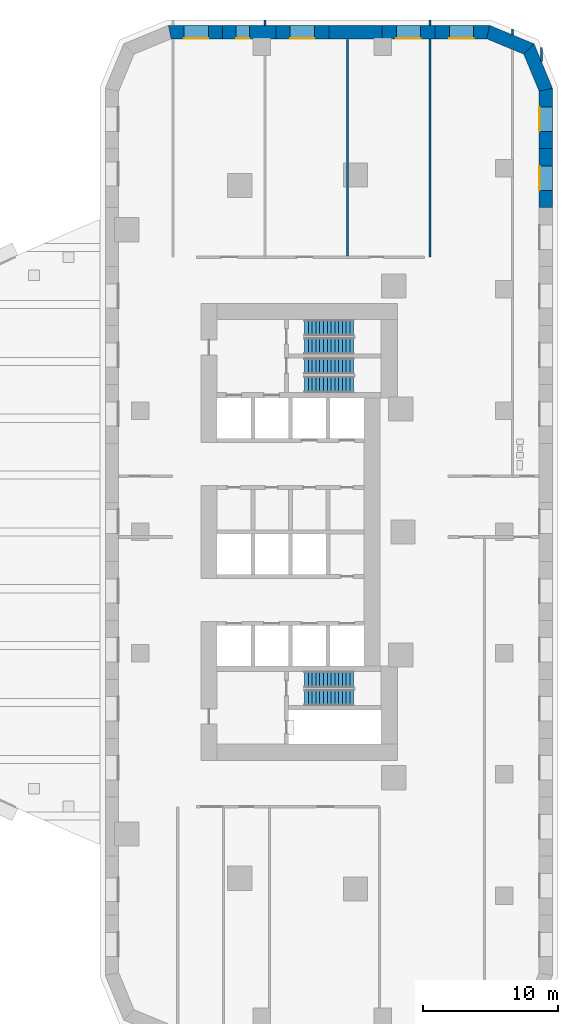
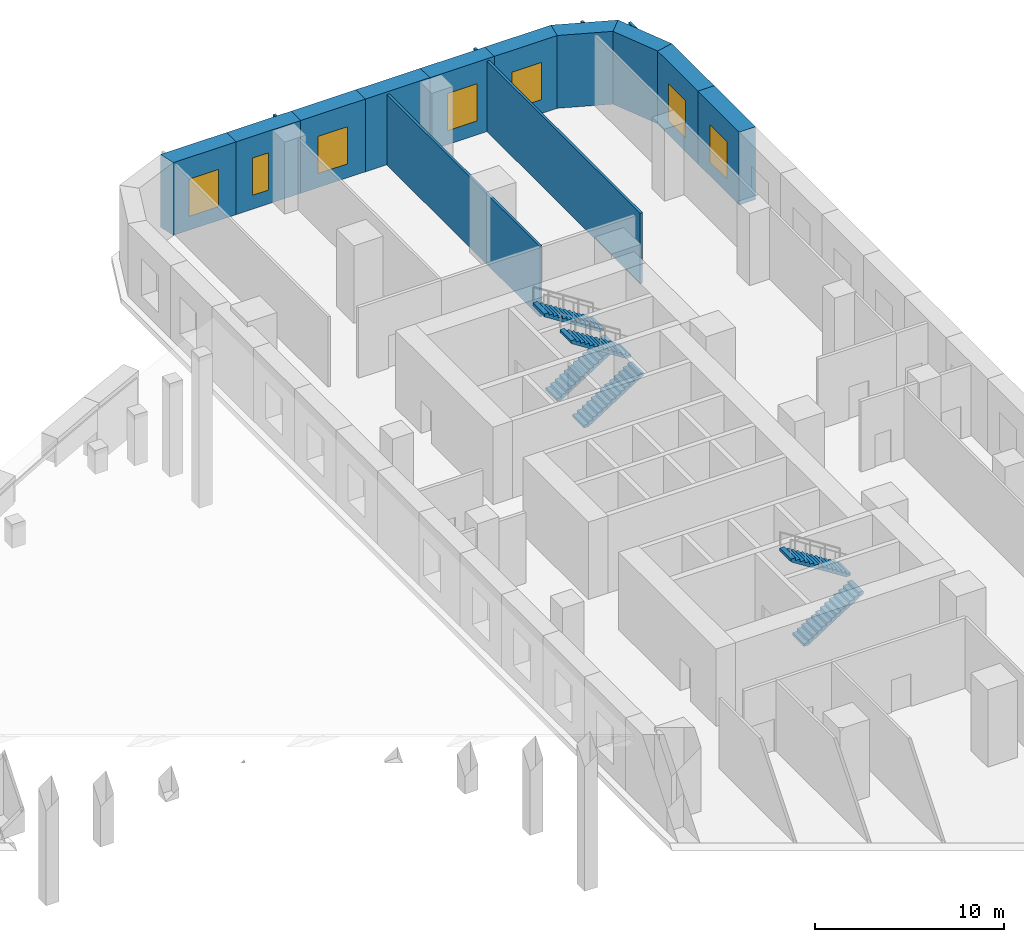
# One storey, part 6 of 11: 16 walls, 7 windows, 6 stair flights, 7 openings, 3 elements without a shape of their own.
"""IFC4 building model written with IfcOpenShell, lengths in metres."""

from ifc_helpers import new_model, si_unit, direction, frame, frame_2d, origin, place, context, subcontext, project, spatial, polyline, rectangle, outline, extrude, material, layer, layer_set, type_object, element, fill, aggregate, save


model = new_model("IFC4")

# Units and contexts
model_context = context("Model", 3, precision=1e-05, world=origin(), true_north=direction((0.0, 1.0)))
body_context = subcontext(model_context, "Body", "Model", "MODEL_VIEW")
ifc_project = project(units=[si_unit("LENGTHUNIT", "METRE"), si_unit("AREAUNIT", "SQUARE_METRE"), si_unit("VOLUMEUNIT", "CUBIC_METRE"), si_unit("PLANEANGLEUNIT", "RADIAN"), si_unit("MASSUNIT", "GRAM", prefix="KILO")], contexts=[model_context])

# Site, building, storey
site_placement = place(None, origin())
site = spatial("IfcSite", under=ifc_project, at=site_placement, CompositionType="ELEMENT")
building_placement = place(site_placement, origin())
building = spatial("IfcBuilding", under=site, at=building_placement, Name="Ostrand Prow Hotel Tower", CompositionType="ELEMENT")
storey_placement = place(building_placement, frame((0.0, 0.0, 24.0)))
storey = spatial("IfcBuildingStorey", under=building, at=storey_placement, Name="L04", CompositionType="ELEMENT", Elevation=24.0)

# Walls
ifc_material_1 = material(Name="Plasterboard partition")
ifc_layer_1 = layer(ifc_material_1, 0.14990234375)
ifc_layer_set_1 = layer_set([ifc_layer_1], Name="Plasterboard partition")
wall_type_1 = type_object("IfcWallType", Name="Partition 150 room partition", PredefinedType="PARTITIONING", material=ifc_layer_set_1)
wall_1_placement = place(storey_placement, frame((54.252197265625, 37.60009765625, 0.0), z_axis=(0.0, 0.0, 1.0), x_axis=(0.0, 1.0, 0.0)))
element("IfcWall", 1, at=wall_1_placement, inside=storey, type_object=wall_type_1, Name="ROOM PARTITION", PredefinedType="PARTITIONING", context=body_context, shape_type="SweptSolid", body=[
    extrude(rectangle(XDim=0.39990234375, YDim=0.14990234375, at=frame_2d((0.199951171875, 0.0))), origin(), (0.0, 0.0, 1.0), 4.550048828125),
])
wall_2_placement = place(storey_placement, frame((60.37841796875, 20.39990234375, 0.0), z_axis=(0.0, 0.0, 1.0), x_axis=(0.0, 1.0, 0.0)))
element("IfcWall", 2, at=wall_2_placement, inside=storey, type_object=wall_type_1, Name="ROOM PARTITION", PredefinedType="PARTITIONING", context=body_context, shape_type="SweptSolid", body=[
    extrude(rectangle(XDim=16.170166015625, YDim=0.14990234375, at=frame_2d((8.0849609375, 0.0))), origin(), (0.0, 0.0, 1.0), 4.550048828125),
])
wall_3_placement = place(storey_placement, frame((66.50439453125, 20.39990234375, 0.0), z_axis=(0.0, 0.0, 1.0), x_axis=(0.0, 1.0, 0.0)))
element("IfcWall", 3, at=wall_3_placement, inside=storey, type_object=wall_type_1, Name="ROOM PARTITION", PredefinedType="PARTITIONING", context=body_context, shape_type="SweptSolid", body=[
    extrude(rectangle(XDim=16.2001953125, YDim=0.14990234375, at=frame_2d((8.10009765625, 0.0))), origin(), (0.0, 0.0, 1.0), 4.550048828125),
])
wall_4_placement = place(storey_placement, frame((66.50439453125, 37.60009765625, 0.0), z_axis=(0.0, 0.0, 1.0), x_axis=(0.0, 1.0, 0.0)))
element("IfcWall", 4, at=wall_4_placement, inside=storey, type_object=wall_type_1, Name="ROOM PARTITION", PredefinedType="PARTITIONING", context=body_context, shape_type="SweptSolid", body=[
    extrude(rectangle(XDim=0.39990234375, YDim=0.14990234375, at=frame_2d((0.199951171875, 0.0))), origin(), (0.0, 0.0, 1.0), 4.550048828125),
])
wall_5_placement = place(storey_placement, frame((72.630615234375, 36.8916015625, 0.0), z_axis=(0.0, 0.0, 1.0), x_axis=(0.0, 1.0, 0.0)))
element("IfcWall", 5, at=wall_5_placement, inside=storey, type_object=wall_type_1, Name="ROOM PARTITION", PredefinedType="PARTITIONING", context=body_context, shape_type="SweptSolid", body=[
    extrude(rectangle(XDim=0.43310546875, YDim=0.14990234375, at=frame_2d((0.216552734375, 0.0))), origin(), (0.0, 0.0, 1.0), 4.550048828125),
])
wall_6_placement = place(storey_placement, frame((74.77490234375, 34.91259765625, 0.0), z_axis=(0.0, 0.0, 1.0), x_axis=(0.0, 1.0, 0.0)))
element("IfcWall", 6, at=wall_6_placement, inside=storey, type_object=wall_type_1, Name="ROOM PARTITION", PredefinedType="PARTITIONING", context=body_context, shape_type="SweptSolid", body=[
    extrude(rectangle(XDim=1.04541015625, YDim=0.14990234375, at=frame_2d((0.522705078125, 0.0))), origin(), (0.0, 0.0, 1.0), 4.550048828125),
])

# Wall, opening, window
ifc_material_2 = material(Name="Precast concrete C40/50", Category="concrete")
ifc_layer_2 = layer(ifc_material_2, 1.0)
ifc_layer_set_2 = layer_set([ifc_layer_2], Name="Precast concrete C40/50")
wall_type_2 = type_object("IfcWallType", Name="Portal pier wall 1000 mm", PredefinedType="NOTDEFINED", material=ifc_layer_set_2)
wall_7_placement = place(storey_placement, frame((75.10009765625, 24.068603515625, 0.0), z_axis=(0.0, 0.0, 1.0), x_axis=(0.0, 1.0, 0.0)))
wall_7 = element("IfcWall", 7, at=wall_7_placement, inside=storey, type_object=wall_type_2, Name="Portal pier wall L04-PP121", PredefinedType="NOTDEFINED", context=body_context, shape_type="SweptSolid", body=[
    extrude(outline(polyline([(0.0, -0.5), (4.376220703125, -0.5), (4.376220703125, 0.5), (0.0, 0.5), (0.0, -0.5)])), origin(), (0.0, 0.0, 1.0), 4.699951171875),
])
opening_1_placement = place(wall_7_placement, frame((1.2880859375, 0.0, 0.89990234375)))
opening_1 = element("IfcOpeningElement", 8, at=opening_1_placement, cuts=wall_7, Name="Opening WP2", PredefinedType="OPENING", context=body_context, shape_type="SweptSolid", body=[
    extrude(rectangle(XDim=1.800048828125, YDim=2.39990234375, at=frame_2d((0.89990234375, 1.199951171875))), frame((0.0, 0.510009765625, 0.0), z_axis=(0.0, -1.0, 0.0), x_axis=(1.0, 0.0, 0.0)), (0.0, 0.0, 1.0), 1.02001953125),
])
ifc_material_3 = material(Name="Insulated glass in bronze anodised frame", Category="glass")
window_type = type_object("IfcWindowType", Name="Portal window 1800x2400", PartitioningType="SINGLE_PANEL", PredefinedType="WINDOW", material=ifc_material_3)
window_1_placement = place(opening_1_placement, origin())
window_1 = element("IfcWindow", 9, at=window_1_placement, inside=storey, type_object=window_type, Name="Portal window L04-PP121", OverallHeight=2.39990234375, OverallWidth=1.800048828125, PartitioningType="SINGLE_PANEL", PredefinedType="WINDOW", context=body_context, shape_type="SweptSolid", body=[
    extrude(rectangle(XDim=1.800048828125, YDim=2.39990234375, at=frame_2d((0.89990234375, 1.199951171875))), frame((0.0, 0.5, 0.0), z_axis=(0.0, -1.0, 0.0), x_axis=(1.0, 0.0, 0.0)), (0.0, 0.0, 1.0), 0.06005859375),
])
fill(opening_1, window_1)

wall_8_placement = place(storey_placement, frame((75.10009765625, 28.44482421875, 0.0), z_axis=(0.0, 0.0, 1.0), x_axis=(0.0, 1.0, 0.0)))
wall_8 = element("IfcWall", 10, at=wall_8_placement, inside=storey, type_object=wall_type_2, Name="Portal pier wall L04-PP122", PredefinedType="NOTDEFINED", context=body_context, shape_type="SweptSolid", body=[
    extrude(outline(polyline([(0.0, -0.5), (4.475830078125, -0.5), (4.276611328125, 0.5), (0.0, 0.5), (0.0, -0.5)])), origin(), (0.0, 0.0, 1.0), 4.699951171875),
])
opening_2_placement = place(wall_8_placement, frame((1.2880859375, 0.0, 0.89990234375)))
opening_2 = element("IfcOpeningElement", 11, at=opening_2_placement, cuts=wall_8, Name="Opening WP2", PredefinedType="OPENING", context=body_context, shape_type="SweptSolid", body=[
    extrude(rectangle(XDim=1.800048828125, YDim=2.39990234375, at=frame_2d((0.89990234375, 1.199951171875))), frame((0.0, 0.510009765625, 0.0), z_axis=(0.0, -1.0, 0.0), x_axis=(1.0, 0.0, 0.0)), (0.0, 0.0, 1.0), 1.02001953125),
])
window_2_placement = place(opening_2_placement, origin())
window_2 = element("IfcWindow", 12, at=window_2_placement, inside=storey, type_object=window_type, Name="Portal window L04-PP122", OverallHeight=2.39990234375, OverallWidth=1.800048828125, PartitioningType="SINGLE_PANEL", PredefinedType="WINDOW", context=body_context, shape_type="SweptSolid", body=[
    extrude(rectangle(XDim=1.800048828125, YDim=2.39990234375, at=frame_2d((0.89990234375, 1.199951171875))), frame((0.0, 0.5, 0.0), z_axis=(0.0, -1.0, 0.0), x_axis=(1.0, 0.0, 0.0)), (0.0, 0.0, 1.0), 0.06005859375),
])
fill(opening_2, window_2)

# Walls
wall_9_placement = place(storey_placement, frame((75.10009765625, 32.821044921875, 0.0), z_axis=(0.0, 0.0, 1.0), x_axis=(-0.382724875529, 0.923862365102, 0.0)))
element("IfcWall", 13, at=wall_9_placement, inside=storey, type_object=wall_type_2, Name="Portal pier wall L04-PP123", PredefinedType="NOTDEFINED", context=body_context, shape_type="SweptSolid", body=[
    extrude(outline(polyline([(-0.099609375, -0.5), (3.48193359375, -0.5), (3.06787109375, 0.5), (0.099609375, 0.5), (-0.099609375, -0.5)])), origin(), (0.0, 0.0, 1.0), 4.699951171875),
])
wall_10_placement = place(storey_placement, frame((73.8466796875, 35.8466796875, 0.0), z_axis=(0.0, 0.0, 1.0), x_axis=(-0.923862365102, 0.382724875529, 0.0)))
element("IfcWall", 14, at=wall_10_placement, inside=storey, type_object=wall_type_2, Name="Portal pier wall L04-PP124", PredefinedType="NOTDEFINED", context=body_context, shape_type="SweptSolid", body=[
    extrude(outline(polyline([(-0.20703125, -0.5), (3.37451171875, -0.5), (3.17529296875, 0.5), (0.20703125, 0.5), (-0.20703125, -0.5)])), origin(), (0.0, 0.0, 1.0), 4.699951171875),
])

# Wall, opening, window
wall_11_placement = place(storey_placement, frame((70.821044921875, 37.10009765625, 0.0), z_axis=(0.0, 0.0, 1.0), x_axis=(-1.0, 0.0, 0.0)))
wall_11 = element("IfcWall", 15, at=wall_11_placement, inside=storey, type_object=wall_type_2, Name="Portal pier wall L04-PP125", PredefinedType="NOTDEFINED", context=body_context, shape_type="SweptSolid", body=[
    extrude(outline(polyline([(-0.099609375, -0.5), (3.9404296875, -0.5), (3.9404296875, 0.5), (0.099609375, 0.5), (-0.099609375, -0.5)])), origin(), (0.0, 0.0, 1.0), 4.699951171875),
])
opening_3_placement = place(wall_11_placement, frame((1.0703125, 0.0, 0.89990234375)))
opening_3 = element("IfcOpeningElement", 16, at=opening_3_placement, cuts=wall_11, Name="Opening WP2", PredefinedType="OPENING", context=body_context, shape_type="SweptSolid", body=[
    extrude(rectangle(XDim=1.800048828125, YDim=2.39990234375, at=frame_2d((0.89990234375, 1.199951171875))), frame((0.0, 0.510009765625, 0.0), z_axis=(0.0, -1.0, 0.0), x_axis=(1.0, 0.0, 0.0)), (0.0, 0.0, 1.0), 1.02001953125),
])
window_3_placement = place(opening_3_placement, origin())
window_3 = element("IfcWindow", 17, at=window_3_placement, inside=storey, type_object=window_type, Name="Portal window L04-PP125", OverallHeight=2.39990234375, OverallWidth=1.800048828125, PartitioningType="SINGLE_PANEL", PredefinedType="WINDOW", context=body_context, shape_type="SweptSolid", body=[
    extrude(rectangle(XDim=1.800048828125, YDim=2.39990234375, at=frame_2d((0.89990234375, 1.199951171875))), frame((0.0, 0.5, 0.0), z_axis=(0.0, -1.0, 0.0), x_axis=(1.0, 0.0, 0.0)), (0.0, 0.0, 1.0), 0.06005859375),
])
fill(opening_3, window_3)

wall_12_placement = place(storey_placement, frame((66.880615234375, 37.10009765625, 0.0), z_axis=(0.0, 0.0, 1.0), x_axis=(-1.0, 0.0, 0.0)))
wall_12 = element("IfcWall", 18, at=wall_12_placement, inside=storey, type_object=wall_type_2, Name="Portal pier wall L04-PP126", PredefinedType="NOTDEFINED", context=body_context, shape_type="SweptSolid", body=[
    extrude(outline(polyline([(0.0, -0.5), (3.9404296875, -0.5), (3.9404296875, 0.5), (0.0, 0.5), (0.0, -0.5)])), origin(), (0.0, 0.0, 1.0), 4.699951171875),
])
opening_4_placement = place(wall_12_placement, frame((1.0703125, 0.0, 0.89990234375)))
opening_4 = element("IfcOpeningElement", 19, at=opening_4_placement, cuts=wall_12, Name="Opening WP2", PredefinedType="OPENING", context=body_context, shape_type="SweptSolid", body=[
    extrude(rectangle(XDim=1.800048828125, YDim=2.39990234375, at=frame_2d((0.89990234375, 1.199951171875))), frame((0.0, 0.510009765625, 0.0), z_axis=(0.0, -1.0, 0.0), x_axis=(1.0, 0.0, 0.0)), (0.0, 0.0, 1.0), 1.02001953125),
])
window_4_placement = place(opening_4_placement, origin())
window_4 = element("IfcWindow", 20, at=window_4_placement, inside=storey, type_object=window_type, Name="Portal window L04-PP126", OverallHeight=2.39990234375, OverallWidth=1.800048828125, PartitioningType="SINGLE_PANEL", PredefinedType="WINDOW", context=body_context, shape_type="SweptSolid", body=[
    extrude(rectangle(XDim=1.800048828125, YDim=2.39990234375, at=frame_2d((0.89990234375, 1.199951171875))), frame((0.0, 0.5, 0.0), z_axis=(0.0, -1.0, 0.0), x_axis=(1.0, 0.0, 0.0)), (0.0, 0.0, 1.0), 0.06005859375),
])
fill(opening_4, window_4)

# Wall
wall_13_placement = place(storey_placement, frame((62.940185546875, 37.10009765625, 0.0), z_axis=(0.0, 0.0, 1.0), x_axis=(-1.0, 0.0, 0.0)))
element("IfcWall", 21, at=wall_13_placement, inside=storey, type_object=wall_type_2, Name="Portal pier wall L04-PP127", PredefinedType="NOTDEFINED", context=body_context, shape_type="SweptSolid", body=[
    extrude(outline(polyline([(0.0, -0.5), (3.940185546875, -0.5), (3.940185546875, 0.5), (0.0, 0.5), (0.0, -0.5)])), origin(), (0.0, 0.0, 1.0), 4.699951171875),
])

# Wall, opening, window
wall_14_placement = place(storey_placement, frame((59.0, 37.10009765625, 0.0), z_axis=(0.0, 0.0, 1.0), x_axis=(-1.0, 0.0, 0.0)))
wall_14 = element("IfcWall", 22, at=wall_14_placement, inside=storey, type_object=wall_type_2, Name="Portal pier wall L04-PP128", PredefinedType="NOTDEFINED", context=body_context, shape_type="SweptSolid", body=[
    extrude(outline(polyline([(0.0, -0.5), (3.940185546875, -0.5), (3.940185546875, 0.5), (0.0, 0.5), (0.0, -0.5)])), origin(), (0.0, 0.0, 1.0), 4.699951171875),
])
opening_5_placement = place(wall_14_placement, frame((1.0703125, 0.0, 0.89990234375)))
opening_5 = element("IfcOpeningElement", 23, at=opening_5_placement, cuts=wall_14, Name="Opening WP2", PredefinedType="OPENING", context=body_context, shape_type="SweptSolid", body=[
    extrude(rectangle(XDim=1.800048828125, YDim=2.39990234375, at=frame_2d((0.89990234375, 1.199951171875))), frame((0.0, 0.510009765625, 0.0), z_axis=(0.0, -1.0, 0.0), x_axis=(1.0, 0.0, 0.0)), (0.0, 0.0, 1.0), 1.02001953125),
])
window_5_placement = place(opening_5_placement, origin())
window_5 = element("IfcWindow", 24, at=window_5_placement, inside=storey, type_object=window_type, Name="Portal window L04-PP128", OverallHeight=2.39990234375, OverallWidth=1.800048828125, PartitioningType="SINGLE_PANEL", PredefinedType="WINDOW", context=body_context, shape_type="SweptSolid", body=[
    extrude(rectangle(XDim=1.800048828125, YDim=2.39990234375, at=frame_2d((0.89990234375, 1.199951171875))), frame((0.0, 0.5, 0.0), z_axis=(0.0, -1.0, 0.0), x_axis=(1.0, 0.0, 0.0)), (0.0, 0.0, 1.0), 0.06005859375),
])
fill(opening_5, window_5)

wall_15_placement = place(storey_placement, frame((55.059814453125, 37.10009765625, 0.0), z_axis=(0.0, 0.0, 1.0), x_axis=(-1.0, 0.0, 0.0)))
wall_15 = element("IfcWall", 25, at=wall_15_placement, inside=storey, type_object=wall_type_2, Name="Portal pier wall L04-PP129", PredefinedType="NOTDEFINED", context=body_context, shape_type="SweptSolid", body=[
    extrude(outline(polyline([(0.0, -0.5), (3.9404296875, -0.5), (3.9404296875, 0.5), (0.0, 0.5), (0.0, -0.5)])), origin(), (0.0, 0.0, 1.0), 4.699951171875),
])
opening_6_placement = place(wall_15_placement, frame((1.959716796875, 0.0, 0.89990234375)))
opening_6 = element("IfcOpeningElement", 26, at=opening_6_placement, cuts=wall_15, Name="Opening WP2", PredefinedType="OPENING", context=body_context, shape_type="SweptSolid", body=[
    extrude(rectangle(XDim=0.980712890625, YDim=2.39990234375, at=frame_2d((0.490234375, 1.199951171875))), frame((0.0, 0.510009765625, 0.0), z_axis=(0.0, -1.0, 0.0), x_axis=(1.0, 0.0, 0.0)), (0.0, 0.0, 1.0), 1.02001953125),
])
window_6_placement = place(opening_6_placement, origin())
window_6 = element("IfcWindow", 27, at=window_6_placement, inside=storey, type_object=window_type, Name="Portal window L04-PP129", OverallHeight=2.39990234375, OverallWidth=0.980712890625, PartitioningType="SINGLE_PANEL", PredefinedType="WINDOW", context=body_context, shape_type="SweptSolid", body=[
    extrude(rectangle(XDim=0.980712890625, YDim=2.39990234375, at=frame_2d((0.490234375, 1.199951171875))), frame((0.0, 0.5, 0.0), z_axis=(0.0, -1.0, 0.0), x_axis=(1.0, 0.0, 0.0)), (0.0, 0.0, 1.0), 0.06005859375),
])
fill(opening_6, window_6)

wall_16_placement = place(storey_placement, frame((51.119384765625, 37.10009765625, 0.0), z_axis=(0.0, 0.0, 1.0), x_axis=(-1.0, 0.0, 0.0)))
wall_16 = element("IfcWall", 28, at=wall_16_placement, inside=storey, type_object=wall_type_2, Name="Portal pier wall L04-PP130", PredefinedType="NOTDEFINED", context=body_context, shape_type="SweptSolid", body=[
    extrude(outline(polyline([(0.0, -0.5), (4.0400390625, -0.5), (3.8408203125, 0.5), (0.0, 0.5), (0.0, -0.5)])), origin(), (0.0, 0.0, 1.0), 4.699951171875),
])
opening_7_placement = place(wall_16_placement, frame((1.0703125, 0.0, 0.89990234375)))
opening_7 = element("IfcOpeningElement", 29, at=opening_7_placement, cuts=wall_16, Name="Opening WP2", PredefinedType="OPENING", context=body_context, shape_type="SweptSolid", body=[
    extrude(rectangle(XDim=1.800048828125, YDim=2.39990234375, at=frame_2d((0.89990234375, 1.199951171875))), frame((0.0, 0.510009765625, 0.0), z_axis=(0.0, -1.0, 0.0), x_axis=(1.0, 0.0, 0.0)), (0.0, 0.0, 1.0), 1.02001953125),
])
window_7_placement = place(opening_7_placement, origin())
window_7 = element("IfcWindow", 30, at=window_7_placement, inside=storey, type_object=window_type, Name="Portal window L04-PP130", OverallHeight=2.39990234375, OverallWidth=1.800048828125, PartitioningType="SINGLE_PANEL", PredefinedType="WINDOW", context=body_context, shape_type="SweptSolid", body=[
    extrude(rectangle(XDim=1.800048828125, YDim=2.39990234375, at=frame_2d((0.89990234375, 1.199951171875))), frame((0.0, 0.5, 0.0), z_axis=(0.0, -1.0, 0.0), x_axis=(1.0, 0.0, 0.0)), (0.0, 0.0, 1.0), 0.06005859375),
])
fill(opening_7, window_7)

# Stair, stair flights
ifc_material_4 = material(Name="Concrete C40/50", Category="concrete")
stair_type = type_object("IfcStairType", Name="Exit stair 1200 middle zone", PredefinedType="HALF_TURN_STAIR", material=ifc_material_4)
stair_1_placement = place(storey_placement, origin())
stair_1 = element("IfcStair", 31, at=stair_1_placement, inside=storey, type_object=stair_type, Name="L04 ST1B", PredefinedType="HALF_TURN_STAIR")
ifc_material_5 = material(Name="Concrete C40/50", Category="concrete")
stair_flight_type = type_object("IfcStairFlightType", Name="Stair flight 1200 concrete", PredefinedType="STRAIGHT", material=ifc_material_5)
stair_flight_1_placement = place(storey_placement, frame((57.199951171875, 10.949951171875, 0.0), z_axis=(0.0, 0.0, 1.0), x_axis=(1.0, 0.0, 0.0)))
stair_flight_1 = element("IfcStairFlight", 32, at=stair_flight_1_placement, type_object=stair_flight_type, Name="ST1B flight 1", NumberOfRisers=14, NumberOfTreads=13, PredefinedType="STRAIGHT", RiserHeight=0.178571429, TreadLength=0.28, context=body_context, shape_type="SweptSolid", body=[
    extrude(outline(polyline([(0.0, 0.0), (0.0, 0.178466796875), (0.280029296875, 0.178466796875), (0.280029296875, 0.357177734375), (0.56005859375, 0.357177734375), (0.56005859375, 0.53564453125), (0.840087890625, 0.53564453125), (0.840087890625, 0.71435546875), (1.1201171875, 0.71435546875), (1.1201171875, 0.892822265625), (1.39990234375, 0.892822265625), (1.39990234375, 1.071533203125), (1.679931640625, 1.071533203125), (1.679931640625, 1.25), (1.9599609375, 1.25), (1.9599609375, 1.428466796875), (2.239990234375, 1.428466796875), (2.239990234375, 1.607177734375), (2.52001953125, 1.607177734375), (2.52001953125, 1.78564453125), (2.800048828125, 1.78564453125), (2.800048828125, 1.96435546875), (3.080078125, 1.96435546875), (3.080078125, 2.142822265625), (3.360107421875, 2.142822265625), (3.360107421875, 2.321533203125), (3.639892578125, 2.321533203125), (3.639892578125, 2.5), (3.639892578125, 2.1435546875), (0.27880859375, 0.0), (0.0, 0.0)])), frame((0.0, 0.60009765625, 0.0), z_axis=(0.0, -1.0, 0.0), x_axis=(1.0, 0.0, 0.0)), (0.0, 0.0, 1.0), 1.199951171875),
])
stair_flight_2_placement = place(storey_placement, frame((60.840087890625, 12.300048828125, 2.5), z_axis=(0.0, 0.0, 1.0), x_axis=(-1.0, 0.0, 0.0)))
stair_flight_2 = element("IfcStairFlight", 33, at=stair_flight_2_placement, type_object=stair_flight_type, Name="ST1B flight 2", NumberOfRisers=14, NumberOfTreads=13, PredefinedType="STRAIGHT", RiserHeight=0.178571429, TreadLength=0.28, context=body_context, shape_type="SweptSolid", body=[
    extrude(outline(polyline([(0.0, 0.0), (0.0, 0.178466796875), (0.280029296875, 0.178466796875), (0.280029296875, 0.357177734375), (0.56005859375, 0.357177734375), (0.56005859375, 0.53564453125), (0.840087890625, 0.53564453125), (0.840087890625, 0.71435546875), (1.1201171875, 0.71435546875), (1.1201171875, 0.892822265625), (1.39990234375, 0.892822265625), (1.39990234375, 1.071533203125), (1.679931640625, 1.071533203125), (1.679931640625, 1.25), (1.9599609375, 1.25), (1.9599609375, 1.428466796875), (2.239990234375, 1.428466796875), (2.239990234375, 1.607177734375), (2.52001953125, 1.607177734375), (2.52001953125, 1.78564453125), (2.800048828125, 1.78564453125), (2.800048828125, 1.96435546875), (3.080078125, 1.96435546875), (3.080078125, 2.142822265625), (3.360107421875, 2.142822265625), (3.360107421875, 2.321533203125), (3.639892578125, 2.321533203125), (3.639892578125, 2.5), (3.639892578125, 2.1435546875), (0.27880859375, 0.0), (0.0, 0.0)])), frame((0.0, 0.60009765625, 0.0), z_axis=(0.0, -1.0, 0.0), x_axis=(1.0, 0.0, 0.0)), (0.0, 0.0, 1.0), 1.199951171875),
])
aggregate(stair_1, [stair_flight_1, stair_flight_2])

stair_2_placement = place(storey_placement, origin())
stair_2 = element("IfcStair", 34, at=stair_2_placement, inside=storey, type_object=stair_type, Name="L04 ST3B", PredefinedType="HALF_TURN_STAIR")
stair_flight_3_placement = place(storey_placement, frame((57.199951171875, 13.800048828125, 0.0), z_axis=(0.0, 0.0, 1.0), x_axis=(1.0, 0.0, 0.0)))
stair_flight_3 = element("IfcStairFlight", 35, at=stair_flight_3_placement, type_object=stair_flight_type, Name="ST3B flight 1", NumberOfRisers=14, NumberOfTreads=13, PredefinedType="STRAIGHT", RiserHeight=0.178571429, TreadLength=0.28, context=body_context, shape_type="SweptSolid", body=[
    extrude(outline(polyline([(0.0, 0.0), (0.0, 0.178466796875), (0.280029296875, 0.178466796875), (0.280029296875, 0.357177734375), (0.56005859375, 0.357177734375), (0.56005859375, 0.53564453125), (0.840087890625, 0.53564453125), (0.840087890625, 0.71435546875), (1.1201171875, 0.71435546875), (1.1201171875, 0.892822265625), (1.39990234375, 0.892822265625), (1.39990234375, 1.071533203125), (1.679931640625, 1.071533203125), (1.679931640625, 1.25), (1.9599609375, 1.25), (1.9599609375, 1.428466796875), (2.239990234375, 1.428466796875), (2.239990234375, 1.607177734375), (2.52001953125, 1.607177734375), (2.52001953125, 1.78564453125), (2.800048828125, 1.78564453125), (2.800048828125, 1.96435546875), (3.080078125, 1.96435546875), (3.080078125, 2.142822265625), (3.360107421875, 2.142822265625), (3.360107421875, 2.321533203125), (3.639892578125, 2.321533203125), (3.639892578125, 2.5), (3.639892578125, 2.1435546875), (0.27880859375, 0.0), (0.0, 0.0)])), frame((0.0, 0.60009765625, 0.0), z_axis=(0.0, -1.0, 0.0), x_axis=(1.0, 0.0, 0.0)), (0.0, 0.0, 1.0), 1.199951171875),
])
stair_flight_4_placement = place(storey_placement, frame((60.840087890625, 15.14990234375, 2.5), z_axis=(0.0, 0.0, 1.0), x_axis=(-1.0, 0.0, 0.0)))
stair_flight_4 = element("IfcStairFlight", 36, at=stair_flight_4_placement, type_object=stair_flight_type, Name="ST3B flight 2", NumberOfRisers=14, NumberOfTreads=13, PredefinedType="STRAIGHT", RiserHeight=0.178571429, TreadLength=0.28, context=body_context, shape_type="SweptSolid", body=[
    extrude(outline(polyline([(0.0, 0.0), (0.0, 0.178466796875), (0.280029296875, 0.178466796875), (0.280029296875, 0.357177734375), (0.56005859375, 0.357177734375), (0.56005859375, 0.53564453125), (0.840087890625, 0.53564453125), (0.840087890625, 0.71435546875), (1.1201171875, 0.71435546875), (1.1201171875, 0.892822265625), (1.39990234375, 0.892822265625), (1.39990234375, 1.071533203125), (1.679931640625, 1.071533203125), (1.679931640625, 1.25), (1.9599609375, 1.25), (1.9599609375, 1.428466796875), (2.239990234375, 1.428466796875), (2.239990234375, 1.607177734375), (2.52001953125, 1.607177734375), (2.52001953125, 1.78564453125), (2.800048828125, 1.78564453125), (2.800048828125, 1.96435546875), (3.080078125, 1.96435546875), (3.080078125, 2.142822265625), (3.360107421875, 2.142822265625), (3.360107421875, 2.321533203125), (3.639892578125, 2.321533203125), (3.639892578125, 2.5), (3.639892578125, 2.1435546875), (0.27880859375, 0.0), (0.0, 0.0)])), frame((0.0, 0.60009765625, 0.0), z_axis=(0.0, -1.0, 0.0), x_axis=(1.0, 0.0, 0.0)), (0.0, 0.0, 1.0), 1.199951171875),
])
aggregate(stair_2, [stair_flight_3, stair_flight_4])

stair_3_placement = place(storey_placement, origin())
stair_3 = element("IfcStair", 37, at=stair_3_placement, inside=storey, type_object=stair_type, Name="L04 ST2B", PredefinedType="HALF_TURN_STAIR")
stair_flight_5_placement = place(storey_placement, frame((57.199951171875, -12.300048828125, 0.0), z_axis=(0.0, 0.0, 1.0), x_axis=(1.0, 0.0, 0.0)))
stair_flight_5 = element("IfcStairFlight", 38, at=stair_flight_5_placement, type_object=stair_flight_type, Name="ST2B flight 1", NumberOfRisers=14, NumberOfTreads=13, PredefinedType="STRAIGHT", RiserHeight=0.178571429, TreadLength=0.28, context=body_context, shape_type="SweptSolid", body=[
    extrude(outline(polyline([(0.0, 0.0), (0.0, 0.178466796875), (0.280029296875, 0.178466796875), (0.280029296875, 0.357177734375), (0.56005859375, 0.357177734375), (0.56005859375, 0.53564453125), (0.840087890625, 0.53564453125), (0.840087890625, 0.71435546875), (1.1201171875, 0.71435546875), (1.1201171875, 0.892822265625), (1.39990234375, 0.892822265625), (1.39990234375, 1.071533203125), (1.679931640625, 1.071533203125), (1.679931640625, 1.25), (1.9599609375, 1.25), (1.9599609375, 1.428466796875), (2.239990234375, 1.428466796875), (2.239990234375, 1.607177734375), (2.52001953125, 1.607177734375), (2.52001953125, 1.78564453125), (2.800048828125, 1.78564453125), (2.800048828125, 1.96435546875), (3.080078125, 1.96435546875), (3.080078125, 2.142822265625), (3.360107421875, 2.142822265625), (3.360107421875, 2.321533203125), (3.639892578125, 2.321533203125), (3.639892578125, 2.5), (3.639892578125, 2.1435546875), (0.27880859375, 0.0), (0.0, 0.0)])), frame((0.0, 0.60009765625, 0.0), z_axis=(0.0, -1.0, 0.0), x_axis=(1.0, 0.0, 0.0)), (0.0, 0.0, 1.0), 1.199951171875),
])
stair_flight_6_placement = place(storey_placement, frame((60.840087890625, -10.949951171875, 2.5), z_axis=(0.0, 0.0, 1.0), x_axis=(-1.0, 0.0, 0.0)))
stair_flight_6 = element("IfcStairFlight", 39, at=stair_flight_6_placement, type_object=stair_flight_type, Name="ST2B flight 2", NumberOfRisers=14, NumberOfTreads=13, PredefinedType="STRAIGHT", RiserHeight=0.178571429, TreadLength=0.28, context=body_context, shape_type="SweptSolid", body=[
    extrude(outline(polyline([(0.0, 0.0), (0.0, 0.178466796875), (0.280029296875, 0.178466796875), (0.280029296875, 0.357177734375), (0.56005859375, 0.357177734375), (0.56005859375, 0.53564453125), (0.840087890625, 0.53564453125), (0.840087890625, 0.71435546875), (1.1201171875, 0.71435546875), (1.1201171875, 0.892822265625), (1.39990234375, 0.892822265625), (1.39990234375, 1.071533203125), (1.679931640625, 1.071533203125), (1.679931640625, 1.25), (1.9599609375, 1.25), (1.9599609375, 1.428466796875), (2.239990234375, 1.428466796875), (2.239990234375, 1.607177734375), (2.52001953125, 1.607177734375), (2.52001953125, 1.78564453125), (2.800048828125, 1.78564453125), (2.800048828125, 1.96435546875), (3.080078125, 1.96435546875), (3.080078125, 2.142822265625), (3.360107421875, 2.142822265625), (3.360107421875, 2.321533203125), (3.639892578125, 2.321533203125), (3.639892578125, 2.5), (3.639892578125, 2.1435546875), (0.27880859375, 0.0), (0.0, 0.0)])), frame((0.0, 0.60009765625, 0.0), z_axis=(0.0, -1.0, 0.0), x_axis=(1.0, 0.0, 0.0)), (0.0, 0.0, 1.0), 1.199951171875),
])
aggregate(stair_3, [stair_flight_5, stair_flight_6])

save(model, "model.ifc")
